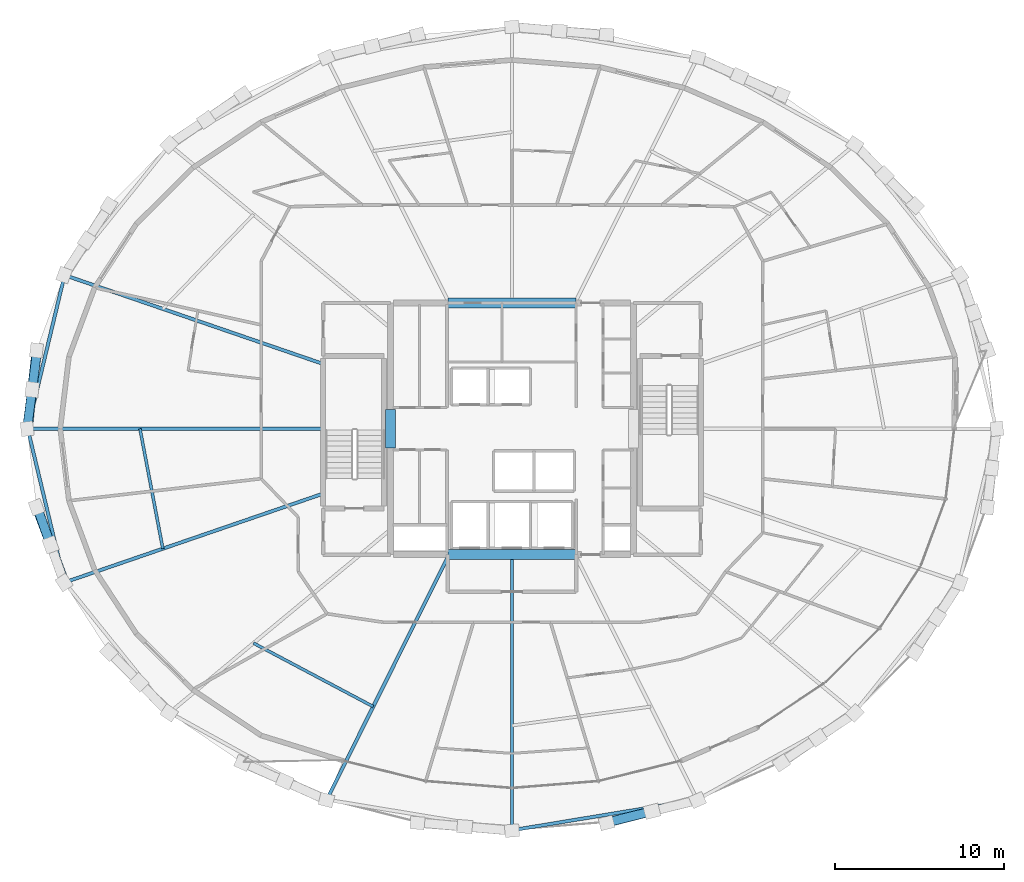
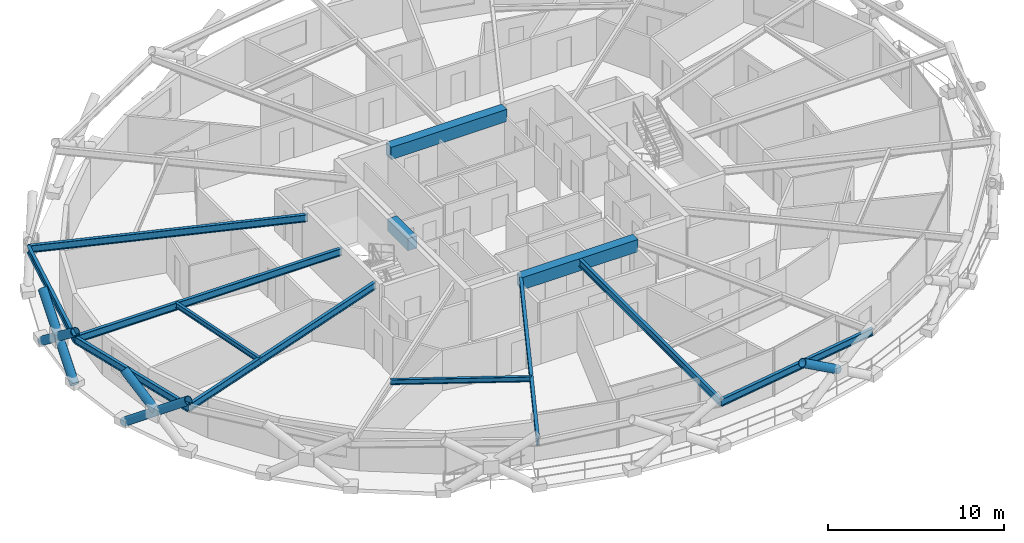
# One storey, part 3 of 20: 13 beams, 6 members.
"""IFC4 building model written with IfcOpenShell, lengths in metres."""

from ifc_helpers import new_model, si_unit, direction, frame, origin, origin_2d, place, context, subcontext, project, spatial, rectangle, hollow_circle, i_section, extrude, material, material_profile, profile_set, type_object, element, save


model = new_model("IFC4")

# Units and contexts
model_context = context("Model", 3, precision=1e-05, world=origin(), true_north=direction((0.0, 1.0)))
body_context = subcontext(model_context, "Body", "Model", "MODEL_VIEW")
ifc_project = project(units=[si_unit("LENGTHUNIT", "METRE"), si_unit("AREAUNIT", "SQUARE_METRE"), si_unit("VOLUMEUNIT", "CUBIC_METRE"), si_unit("PLANEANGLEUNIT", "RADIAN"), si_unit("MASSUNIT", "GRAM", prefix="KILO")], contexts=[model_context])

# Site, building, storey
site_placement = place(None, origin())
site = spatial("IfcSite", under=ifc_project, at=site_placement, CompositionType="ELEMENT")
building_placement = place(site_placement, origin())
building = spatial("IfcBuilding", under=site, at=building_placement, Name="Veldorina Hangang Commons", CompositionType="ELEMENT")
storey_placement = place(building_placement, frame((0.0, 0.0, 117.199951171875)))
storey = spatial("IfcBuildingStorey", under=building, at=storey_placement, Name="L29", CompositionType="ELEMENT", Elevation=117.199951171875)

# Beams
ifc_material_1 = material(Name="Concrete C60/75", Category="concrete")
ifc_material_profile_1 = material_profile(ifc_material_1, rectangle(XDim=0.60009765625, YDim=0.85009765625, at=origin_2d()), Name="RC-CB-600x850")
ifc_profile_set_1 = profile_set([ifc_material_profile_1], Name="Concrete C60/75")
beam_type_1 = type_object("IfcBeamType", Name="BM-CB850", PredefinedType="LINTEL", material=ifc_profile_set_1)
beam_1_placement = place(storey_placement, frame((24.800048828125, 22.85009765625, 2.925048828125), z_axis=(0.0, 1.0, 0.0), x_axis=(-1.0, 0.0, 0.0)))
element("IfcBeam", 1, at=beam_1_placement, inside=storey, type_object=beam_type_1, Name="L29 W core coupling lintel beam", PredefinedType="LINTEL", context=body_context, shape_type="SweptSolid", body=[
    extrude(rectangle(XDim=0.60009765625, YDim=0.85009765625, at=origin_2d()), origin(), (0.0, 0.0, 1.0), 2.2998046875),
])
for number, where, z_axis, x_axis, name in (
    (2, (28.199951171875, 16.550048828125, 2.925048828125), (1.0, 0.0, 0.0), (0.0, 1.0, 0.0), "L29 south core coupling beam"),
    (3, (28.199951171875, 31.449951171875, 2.925048828125), (1.0, 0.0, 0.0), (0.0, 1.0, 0.0), "L29 north core coupling beam"),
):
    element("IfcBeam", number, at=place(storey_placement, frame(where, z_axis=z_axis, x_axis=x_axis)), inside=storey, type_object=beam_type_1, Name=name, PredefinedType="LINTEL", context=body_context, shape_type="SweptSolid", body=[
        extrude(rectangle(XDim=0.60009765625, YDim=0.85009765625, at=origin_2d()), origin(), (0.0, 0.0, 1.0), 7.60009765625),
    ])
ifc_material_2 = material(Name="Steel SM420-TMC", Category="steel")
ifc_material_profile_2 = material_profile(ifc_material_2, i_section(OverallWidth=0.199951171875, OverallDepth=0.5, WebThickness=0.010009765625, FlangeThickness=0.01611328125, FilletRadius=0.01611328125, at=origin_2d()), Name="H-500x200x10x16")
ifc_profile_set_2 = profile_set([ifc_material_profile_2], Name="Steel SM420-TMC")
beam_type_2 = type_object("IfcBeamType", Name="BM-FG500", PredefinedType="BEAM", material=ifc_profile_set_2)
beam_2_placement = place(storey_placement, frame((20.820068359375, 27.839111328125, 3.10009765625), z_axis=(-0.945786529859, 0.324788915971, 0.0), x_axis=(-0.324788915971, -0.945786529859, 0.0)))
element("IfcBeam", 4, at=beam_2_placement, inside=storey, type_object=beam_type_2, Name="L29 radial floor girder 08", PredefinedType="BEAM", context=body_context, shape_type="SweptSolid", body=[
    extrude(i_section(OverallWidth=0.199951171875, OverallDepth=0.5, WebThickness=0.010009765625, FlangeThickness=0.01611328125, FilletRadius=0.01611328125, at=origin_2d()), origin(), (0.0, 0.0, 1.0), 16.187744140625),
])
beam_3_placement = place(storey_placement, frame((20.820068359375, 24.0, 3.10009765625), z_axis=(-1.0, 0.0, 0.0), x_axis=(0.0, -1.0, 0.0)))
element("IfcBeam", 5, at=beam_3_placement, inside=storey, type_object=beam_type_2, Name="L29 radial floor girder 09", PredefinedType="BEAM", context=body_context, shape_type="SweptSolid", body=[
    extrude(i_section(OverallWidth=0.199951171875, OverallDepth=0.5, WebThickness=0.010009765625, FlangeThickness=0.01611328125, FilletRadius=0.01611328125, at=origin_2d()), origin(), (0.0, 0.0, 1.0), 17.49267578125),
])
beam_4_placement = place(storey_placement, frame((20.820068359375, 20.160888671875, 3.10009765625), z_axis=(-0.945786529859, -0.324788915971, 0.0), x_axis=(0.324788915971, -0.945786529859, 0.0)))
element("IfcBeam", 6, at=beam_4_placement, inside=storey, type_object=beam_type_2, Name="L29 radial floor girder 10", PredefinedType="BEAM", context=body_context, shape_type="SweptSolid", body=[
    extrude(i_section(OverallWidth=0.199951171875, OverallDepth=0.5, WebThickness=0.010009765625, FlangeThickness=0.01611328125, FilletRadius=0.01611328125, at=origin_2d()), origin(), (0.0, 0.0, 1.0), 16.187744140625),
])
beam_5_placement = place(storey_placement, frame((28.27783203125, 16.550048828125, 3.10009765625), z_axis=(-0.446948690649, -0.894559594397, 0.0), x_axis=(0.894559594397, -0.446948690649, 0.0)))
element("IfcBeam", 7, at=beam_5_placement, inside=storey, type_object=beam_type_2, Name="L29 radial floor girder 12", PredefinedType="BEAM", context=body_context, shape_type="SweptSolid", body=[
    extrude(i_section(OverallWidth=0.199951171875, OverallDepth=0.5, WebThickness=0.010009765625, FlangeThickness=0.01611328125, FilletRadius=0.01611328125, at=origin_2d()), origin(), (0.0, 0.0, 1.0), 16.2216796875),
])
beam_6_placement = place(storey_placement, frame((32.0, 16.550048828125, 3.10009765625), z_axis=(0.0, -1.0, 0.0), x_axis=(1.0, 0.0, 0.0)))
element("IfcBeam", 8, at=beam_6_placement, inside=storey, type_object=beam_type_2, Name="L29 radial floor girder 13", PredefinedType="BEAM", context=body_context, shape_type="SweptSolid", body=[
    extrude(i_section(OverallWidth=0.199951171875, OverallDepth=0.5, WebThickness=0.010009765625, FlangeThickness=0.01611328125, FilletRadius=0.01611328125, at=origin_2d()), origin(), (0.0, 0.0, 1.0), 16.32080078125),
])
ifc_material_3 = material(Name="Steel SM355-TMC", Category="steel")
ifc_material_profile_3 = material_profile(ifc_material_3, i_section(OverallWidth=0.175048828125, OverallDepth=0.35009765625, WebThickness=0.007080078125, FlangeThickness=0.010986328125, FilletRadius=0.012939453125, at=origin_2d()), Name="H-350x175x7x11")
ifc_profile_set_3 = profile_set([ifc_material_profile_3], Name="Steel SM355-TMC")
beam_type_3 = type_object("IfcBeamType", Name="BM-JST350", PredefinedType="JOIST", material=ifc_profile_set_3)
beam_7_placement = place(storey_placement, frame((9.974609375, 24.0, 3.175048828125), z_axis=(0.187259583318, -0.982310464393, 0.0), x_axis=(0.982310464393, 0.187259583318, 0.0)))
element("IfcBeam", 9, at=beam_7_placement, inside=storey, type_object=beam_type_3, Name="L29 secondary floor joist 09", PredefinedType="JOIST", context=body_context, shape_type="SweptSolid", body=[
    extrude(i_section(OverallWidth=0.175048828125, OverallDepth=0.35009765625, WebThickness=0.007080078125, FlangeThickness=0.010986328125, FilletRadius=0.012939453125, at=origin_2d()), origin(), (0.0, 0.0, 1.0), 7.226806640625),
])
beam_8_placement = place(storey_placement, frame((16.69384765625, 11.310546875, 3.175048828125), z_axis=(0.883548724399, -0.468339248423, 0.0), x_axis=(0.468339248423, 0.883548724399, 0.0)))
element("IfcBeam", 10, at=beam_8_placement, inside=storey, type_object=beam_type_3, Name="L29 secondary floor joist 11", PredefinedType="JOIST", context=body_context, shape_type="SweptSolid", body=[
    extrude(i_section(OverallWidth=0.175048828125, OverallDepth=0.35009765625, WebThickness=0.007080078125, FlangeThickness=0.010986328125, FilletRadius=0.012939453125, at=origin_2d()), origin(), (0.0, 0.0, 1.0), 8.023193359375),
])
ifc_material_profile_4 = material_profile(ifc_material_2, i_section(OverallWidth=0.199951171875, OverallDepth=0.5, WebThickness=0.010009765625, FlangeThickness=0.01611328125, FilletRadius=0.01611328125, at=origin_2d()), Name="H-500x200x10x16")
ifc_profile_set_4 = profile_set([ifc_material_profile_4], Name="Steel SM420-TMC")
beam_type_4 = type_object("IfcBeamType", Name="BM-RB500", PredefinedType="BEAM", material=ifc_profile_set_4)
for number, where, z_axis, x_axis, name in (
    (11, (5.510009765625, 33.0966796875, 3.10009765625), (-0.233313728746, -0.972401513768, 0.0), (0.972401513768, -0.233313728746, 0.0), "L29 perimeter hoop ring beam 14"),
    (12, (3.327392578125, 24.0, 3.10009765625), (0.233313728746, -0.972401513768, 0.0), (0.972401513768, 0.233313728746, 0.0), "L29 perimeter hoop ring beam 16"),
):
    element("IfcBeam", number, at=place(storey_placement, frame(where, z_axis=z_axis, x_axis=x_axis)), inside=storey, type_object=beam_type_4, Name=name, PredefinedType="BEAM", context=body_context, shape_type="SweptSolid", body=[
        extrude(i_section(OverallWidth=0.199951171875, OverallDepth=0.5, WebThickness=0.010009765625, FlangeThickness=0.01611328125, FilletRadius=0.01611328125, at=origin_2d()), origin(), (0.0, 0.0, 1.0), 9.35498046875),
    ])
beam_9_placement = place(storey_placement, frame((32.0, 0.229248046875, 3.10009765625), z_axis=(0.986671965212, 0.162721950162, 0.0), x_axis=(-0.162721950162, 0.986671965212, 0.0)))
element("IfcBeam", 13, at=beam_9_placement, inside=storey, type_object=beam_type_4, Name="L29 perimeter hoop ring beam 24", PredefinedType="BEAM", context=body_context, shape_type="SweptSolid", body=[
    extrude(i_section(OverallWidth=0.199951171875, OverallDepth=0.5, WebThickness=0.010009765625, FlangeThickness=0.01611328125, FilletRadius=0.01611328125, at=origin_2d()), origin(), (0.0, 0.0, 1.0), 11.12060546875),
])

# Members
ifc_material_profile_5 = material_profile(ifc_material_2, hollow_circle(Radius=0.27490234375, WallThickness=0.028076171875, at=origin_2d()), Name="CHS-550x28")
ifc_profile_set_5 = profile_set([ifc_material_profile_5], Name="Steel SM420-TMC")
member_type = type_object("IfcMemberType", Name="DG-CHS550", PredefinedType="BRACE", material=ifc_profile_set_5)
member_1_placement = place(storey_placement, frame((3.84521484375, 28.64208984375, 0.0), z_axis=(-0.08686210357, -0.787224040645, 0.610518865223), x_axis=(0.993967597023, -0.109674135824, 0.0)))
element("IfcMember", 14, at=member_1_placement, inside=storey, type_object=member_type, Name="L29 continuous perimeter diagrid brace 15", PredefinedType="BRACE", context=body_context, shape_type="SweptSolid", body=[
    extrude(hollow_circle(Radius=0.27490234375, WallThickness=0.028076171875, at=origin_2d()), origin(), (0.0, 0.0, 1.0), 5.896728515625),
])
member_2_placement = place(storey_placement, frame((3.29345703125, 24.0, 0.0), z_axis=(0.100082752357, 0.785856388547, 0.610256650321), x_axis=(-0.991987684971, 0.126334606759, 0.0)))
element("IfcMember", 15, at=member_2_placement, inside=storey, type_object=member_type, Name="L29 split perimeter diagrid lower brace 16", PredefinedType="BRACE", context=body_context, shape_type="SweptSolid", body=[
    extrude(hollow_circle(Radius=0.27490234375, WallThickness=0.028076171875, at=origin_2d()), origin(), (0.0, 0.0, 1.0), 2.95166015625),
])
member_3_placement = place(storey_placement, frame((3.5888671875, 26.319580078125, 1.80126953125), z_axis=(0.100034497896, 0.785949850608, 0.610144189156), x_axis=(-0.991997197682, 0.126259889875, 0.0)))
element("IfcMember", 16, at=member_3_placement, inside=storey, type_object=member_type, Name="L29 split perimeter diagrid upper brace 16", PredefinedType="BRACE", context=body_context, shape_type="SweptSolid", body=[
    extrude(hollow_circle(Radius=0.27490234375, WallThickness=0.028076171875, at=origin_2d()), origin(), (0.0, 0.0, 1.0), 2.9482421875),
])
member_4_placement = place(storey_placement, frame((3.84521484375, 19.35791015625, 0.0), z_axis=(0.279959513186, -0.746558701829, 0.603550143485), x_axis=(0.936329177569, 0.351123441588, 0.0)))
element("IfcMember", 17, at=member_4_placement, inside=storey, type_object=member_type, Name="L29 continuous perimeter diagrid brace 17", PredefinedType="BRACE", context=body_context, shape_type="SweptSolid", body=[
    extrude(hollow_circle(Radius=0.27490234375, WallThickness=0.028076171875, at=origin_2d()), origin(), (0.0, 0.0, 1.0), 5.96484375),
])
member_5_placement = place(storey_placement, frame((4.6806640625, 17.1298828125, 1.80126953125), z_axis=(-0.267732602227, 0.750373114331, 0.604366977087), x_axis=(-0.941844358319, -0.336049408128, 0.0)))
element("IfcMember", 18, at=member_5_placement, inside=storey, type_object=member_type, Name="L29 split perimeter diagrid upper brace 18", PredefinedType="BRACE", context=body_context, shape_type="SweptSolid", body=[
    extrude(hollow_circle(Radius=0.27490234375, WallThickness=0.028076171875, at=origin_2d()), origin(), (0.0, 0.0, 1.0), 2.976318359375),
])
member_6_placement = place(storey_placement, frame((40.287109375, 1.352783203125, 1.80126953125), z_axis=(-0.814787022309, -0.200522068919, 0.543978867377), x_axis=(0.238973099537, -0.971026187957, 0.0)))
element("IfcMember", 19, at=member_6_placement, inside=storey, type_object=member_type, Name="L29 split perimeter diagrid upper brace 26", PredefinedType="BRACE", context=body_context, shape_type="SweptSolid", body=[
    extrude(hollow_circle(Radius=0.27490234375, WallThickness=0.028076171875, at=origin_2d()), origin(), (0.0, 0.0, 1.0), 3.306884765625),
])

save(model, "model.ifc")
